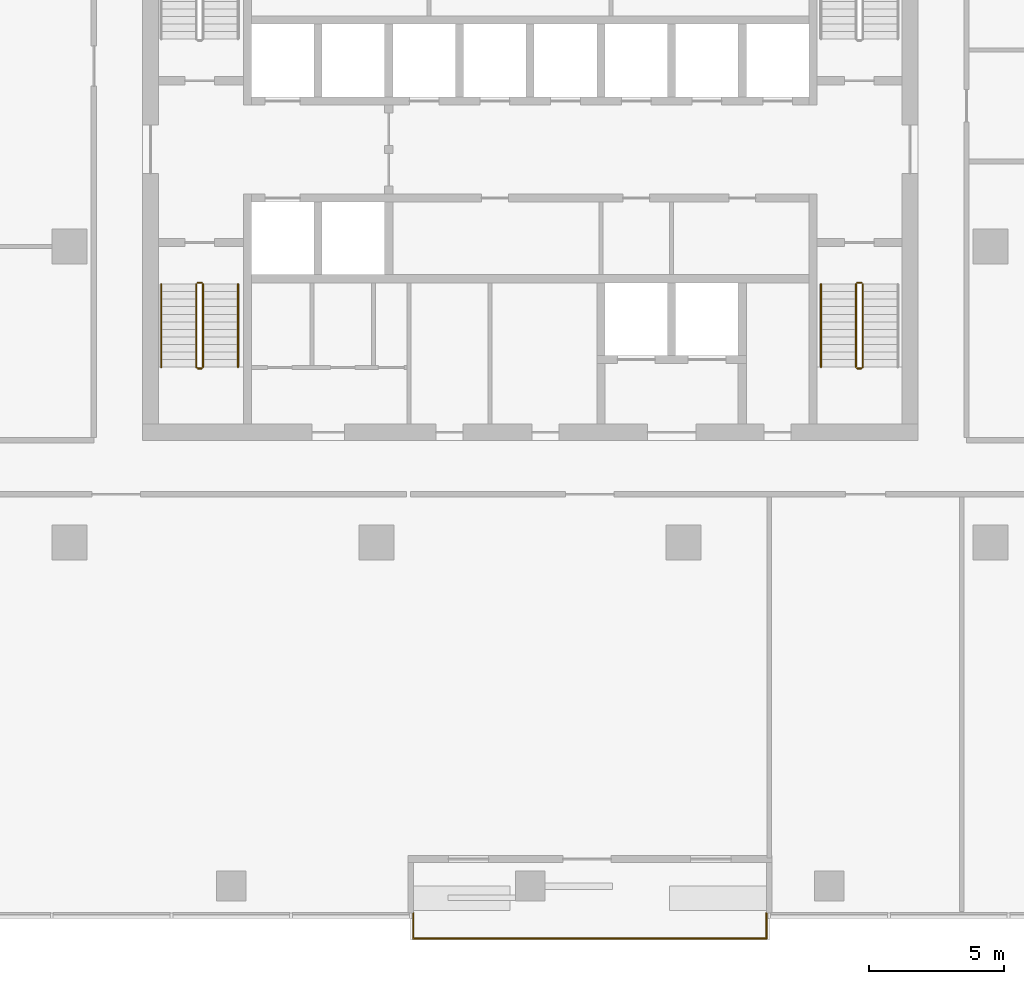
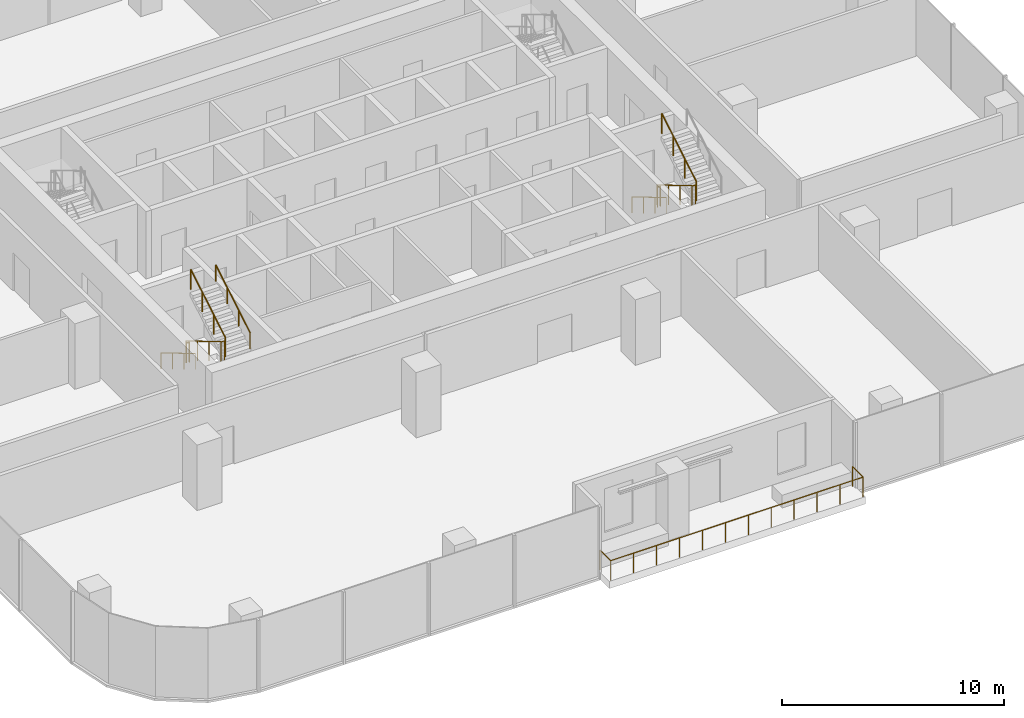
# One storey, part 11 of 14: 10 railings.
"""IFC4 building model written with IfcOpenShell, lengths in metres."""

from ifc_helpers import new_model, si_unit, direction, frame, origin, origin_2d, place, context, subcontext, project, spatial, circle, extrude, material, type_object, element, save


model = new_model("IFC4")

# Units and contexts
model_context = context("Model", 3, precision=1e-05, world=origin(), true_north=direction((0.0, 1.0)))
body_context = subcontext(model_context, "Body", "Model", "MODEL_VIEW")
ifc_project = project(units=[si_unit("LENGTHUNIT", "METRE"), si_unit("AREAUNIT", "SQUARE_METRE"), si_unit("VOLUMEUNIT", "CUBIC_METRE"), si_unit("PLANEANGLEUNIT", "RADIAN"), si_unit("MASSUNIT", "GRAM", prefix="KILO")], contexts=[model_context])

# Site, building, storey
site_placement = place(None, origin())
site = spatial("IfcSite", under=ifc_project, at=site_placement, CompositionType="ELEMENT")
building_placement = place(site_placement, origin())
building = spatial("IfcBuilding", under=site, at=building_placement, Name="Mopane Tessera Tower", CompositionType="ELEMENT")
storey_placement = place(building_placement, frame((0.0, 0.0, 251.0)))
storey = spatial("IfcBuildingStorey", under=building, at=storey_placement, Name="L54", CompositionType="ELEMENT", Elevation=251.0)

# Railings
ifc_material_1 = material(Name="Powder-coated steel balustrade", Category="steel")
railing_type_1 = type_object("IfcRailingType", Name="Escape stair guard 1100 mm", PredefinedType="GUARDRAIL", material=ifc_material_1)
railing_1_placement = place(storey_placement, frame((-12.39990234375, -1.39990234375, 0.166748046875)))
element("IfcRailing", 1, at=railing_1_placement, inside=storey, type_object=railing_type_1, Name="L54 ST1 stair guard 1", PredefinedType="GUARDRAIL", context=body_context, shape_type="SweptSolid", body=[
    extrude(circle(Radius=0.02392578125, at=origin_2d()), frame((0.0, 0.0, 1.076171875), z_axis=(0.0, -0.859308565015, 0.511457515432), x_axis=(1.0, 0.0, 0.0)), (0.0, 0.0, 1.0), 3.58447265625),
    extrude(circle(Radius=0.02392578125, at=origin_2d()), frame((0.0, -3.080078125, 2.9091796875), z_axis=(0.705375805398, -0.708833529934, 0.0), x_axis=(0.708833529934, 0.705375805398, 0.0)), (0.0, 0.0, 1.0), 0.070556640625),
    extrude(circle(Radius=0.02392578125, at=origin_2d()), frame((0.0498046875, -3.130126953125, 2.9091796875), z_axis=(1.0, 0.0, 0.0), x_axis=(0.0, 1.0, 0.0)), (0.0, 0.0, 1.0), 0.150146484375),
    extrude(circle(Radius=0.02099609375, at=origin_2d()), origin(), (0.0, 0.0, 1.0), 1.052001953125),
    extrude(circle(Radius=0.02099609375, at=origin_2d()), frame((0.0, -1.026611328125, 0.611083984375)), (0.0, 0.0, 1.0), 1.052001953125),
    extrude(circle(Radius=0.02099609375, at=origin_2d()), frame((0.0, -2.053466796875, 1.22216796875)), (0.0, 0.0, 1.0), 1.052001953125),
    extrude(circle(Radius=0.02099609375, at=origin_2d()), frame((0.0, -3.080078125, 1.833251953125)), (0.0, 0.0, 1.0), 1.052001953125),
    extrude(circle(Radius=0.02099609375, at=origin_2d()), frame((0.0498046875, -3.130126953125, 1.833251953125)), (0.0, 0.0, 1.0), 1.052001953125),
    extrude(circle(Radius=0.02099609375, at=origin_2d()), frame((0.199951171875, -3.130126953125, 1.833251953125)), (0.0, 0.0, 1.0), 1.052001953125),
])
railing_2_placement = place(storey_placement, frame((-12.14990234375, -4.47998046875, 2.166748046875)))
element("IfcRailing", 2, at=railing_2_placement, inside=storey, type_object=railing_type_1, Name="L54 ST1 stair guard 2", PredefinedType="GUARDRAIL", context=body_context, shape_type="SweptSolid", body=[
    extrude(circle(Radius=0.02392578125, at=origin_2d()), frame((0.0, 0.0, 1.076171875), z_axis=(0.0, 0.859308565015, 0.511457515432), x_axis=(-1.0, 0.0, 0.0)), (0.0, 0.0, 1.0), 3.58447265625),
    extrude(circle(Radius=0.02099609375, at=origin_2d()), origin(), (0.0, 0.0, 1.0), 1.052001953125),
    extrude(circle(Radius=0.02099609375, at=origin_2d()), frame((0.0, 1.026611328125, 0.611083984375)), (0.0, 0.0, 1.0), 1.052001953125),
    extrude(circle(Radius=0.02099609375, at=origin_2d()), frame((0.0, 2.053466796875, 1.22216796875)), (0.0, 0.0, 1.0), 1.052001953125),
    extrude(circle(Radius=0.02099609375, at=origin_2d()), frame((0.0, 3.080078125, 1.833251953125)), (0.0, 0.0, 1.0), 1.052001953125),
])
railing_3_placement = place(storey_placement, frame((-12.35009765625, -1.35009765625, 0.0)))
element("IfcRailing", 3, at=railing_3_placement, inside=storey, type_object=railing_type_1, Name="L54 ST1 stair guard 3", PredefinedType="GUARDRAIL", context=body_context, shape_type="SweptSolid", body=[
    extrude(circle(Radius=0.02392578125, at=origin_2d()), frame((0.0, 0.0, 1.076171875), z_axis=(1.0, 0.0, 0.0), x_axis=(0.0, 1.0, 0.0)), (0.0, 0.0, 1.0), 0.150146484375),
    extrude(circle(Radius=0.02099609375, at=origin_2d()), origin(), (0.0, 0.0, 1.0), 1.052001953125),
    extrude(circle(Radius=0.02099609375, at=origin_2d()), frame((0.150146484375, 0.0, 0.0)), (0.0, 0.0, 1.0), 1.052001953125),
])
railing_4_placement = place(storey_placement, frame((12.10009765625, -1.39990234375, 0.166748046875)))
element("IfcRailing", 4, at=railing_4_placement, inside=storey, type_object=railing_type_1, Name="L54 ST3 stair guard 1", PredefinedType="GUARDRAIL", context=body_context, shape_type="SweptSolid", body=[
    extrude(circle(Radius=0.02392578125, at=origin_2d()), frame((0.0, 0.0, 1.076171875), z_axis=(0.0, -0.859308565015, 0.511457515432), x_axis=(1.0, 0.0, 0.0)), (0.0, 0.0, 1.0), 3.58447265625),
    extrude(circle(Radius=0.02392578125, at=origin_2d()), frame((0.0, -3.080078125, 2.9091796875), z_axis=(0.705375805398, -0.708833529934, 0.0), x_axis=(0.708833529934, 0.705375805398, 0.0)), (0.0, 0.0, 1.0), 0.070556640625),
    extrude(circle(Radius=0.02392578125, at=origin_2d()), frame((0.0498046875, -3.130126953125, 2.9091796875), z_axis=(1.0, 0.0, 0.0), x_axis=(0.0, 1.0, 0.0)), (0.0, 0.0, 1.0), 0.150146484375),
    extrude(circle(Radius=0.02099609375, at=origin_2d()), origin(), (0.0, 0.0, 1.0), 1.052001953125),
    extrude(circle(Radius=0.02099609375, at=origin_2d()), frame((0.0, -1.026611328125, 0.611083984375)), (0.0, 0.0, 1.0), 1.052001953125),
    extrude(circle(Radius=0.02099609375, at=origin_2d()), frame((0.0, -2.053466796875, 1.22216796875)), (0.0, 0.0, 1.0), 1.052001953125),
    extrude(circle(Radius=0.02099609375, at=origin_2d()), frame((0.0, -3.080078125, 1.833251953125)), (0.0, 0.0, 1.0), 1.052001953125),
    extrude(circle(Radius=0.02099609375, at=origin_2d()), frame((0.0498046875, -3.130126953125, 1.833251953125)), (0.0, 0.0, 1.0), 1.052001953125),
    extrude(circle(Radius=0.02099609375, at=origin_2d()), frame((0.199951171875, -3.130126953125, 1.833251953125)), (0.0, 0.0, 1.0), 1.052001953125),
])
railing_5_placement = place(storey_placement, frame((12.35009765625, -4.47998046875, 2.166748046875)))
element("IfcRailing", 5, at=railing_5_placement, inside=storey, type_object=railing_type_1, Name="L54 ST3 stair guard 2", PredefinedType="GUARDRAIL", context=body_context, shape_type="SweptSolid", body=[
    extrude(circle(Radius=0.02392578125, at=origin_2d()), frame((0.0, 0.0, 1.076171875), z_axis=(0.0, 0.859308565015, 0.511457515432), x_axis=(-1.0, 0.0, 0.0)), (0.0, 0.0, 1.0), 3.58447265625),
    extrude(circle(Radius=0.02099609375, at=origin_2d()), origin(), (0.0, 0.0, 1.0), 1.052001953125),
    extrude(circle(Radius=0.02099609375, at=origin_2d()), frame((0.0, 1.026611328125, 0.611083984375)), (0.0, 0.0, 1.0), 1.052001953125),
    extrude(circle(Radius=0.02099609375, at=origin_2d()), frame((0.0, 2.053466796875, 1.22216796875)), (0.0, 0.0, 1.0), 1.052001953125),
    extrude(circle(Radius=0.02099609375, at=origin_2d()), frame((0.0, 3.080078125, 1.833251953125)), (0.0, 0.0, 1.0), 1.052001953125),
])
railing_6_placement = place(storey_placement, frame((12.14990234375, -1.35009765625, 0.0)))
element("IfcRailing", 6, at=railing_6_placement, inside=storey, type_object=railing_type_1, Name="L54 ST3 stair guard 3", PredefinedType="GUARDRAIL", context=body_context, shape_type="SweptSolid", body=[
    extrude(circle(Radius=0.02392578125, at=origin_2d()), frame((0.0, 0.0, 1.076171875), z_axis=(1.0, 0.0, 0.0), x_axis=(0.0, 1.0, 0.0)), (0.0, 0.0, 1.0), 0.150146484375),
    extrude(circle(Radius=0.02099609375, at=origin_2d()), origin(), (0.0, 0.0, 1.0), 1.052001953125),
    extrude(circle(Radius=0.02099609375, at=origin_2d()), frame((0.150146484375, 0.0, 0.0)), (0.0, 0.0, 1.0), 1.052001953125),
])
ifc_material_2 = material(Name="Powder-coated steel balustrade", Category="steel")
railing_type_2 = type_object("IfcRailingType", Name="Escape stair handrail 900 mm", PredefinedType="HANDRAIL", material=ifc_material_2)
railing_7_placement = place(storey_placement, frame((-13.699951171875, -1.39990234375, 0.166748046875)))
element("IfcRailing", 7, at=railing_7_placement, inside=storey, type_object=railing_type_2, Name="L54 ST1 stair handrail 1", PredefinedType="HANDRAIL", context=body_context, shape_type="SweptSolid", body=[
    extrude(circle(Radius=0.02392578125, at=origin_2d()), frame((0.0, 0.0, 0.8759765625), z_axis=(0.0, -0.859308565015, 0.511457515432), x_axis=(1.0, 0.0, 0.0)), (0.0, 0.0, 1.0), 3.58447265625),
    extrude(circle(Radius=0.02099609375, at=origin_2d()), origin(), (0.0, 0.0, 1.0), 0.851806640625),
    extrude(circle(Radius=0.02099609375, at=origin_2d()), frame((0.0, -1.026611328125, 0.611083984375)), (0.0, 0.0, 1.0), 0.851806640625),
    extrude(circle(Radius=0.02099609375, at=origin_2d()), frame((0.0, -2.053466796875, 1.22216796875)), (0.0, 0.0, 1.0), 0.851806640625),
    extrude(circle(Radius=0.02099609375, at=origin_2d()), frame((0.0, -3.080078125, 1.833251953125)), (0.0, 0.0, 1.0), 0.851806640625),
])
railing_8_placement = place(storey_placement, frame((-10.85009765625, -4.47998046875, 2.166748046875)))
element("IfcRailing", 8, at=railing_8_placement, inside=storey, type_object=railing_type_2, Name="L54 ST1 stair handrail 2", PredefinedType="HANDRAIL", context=body_context, shape_type="SweptSolid", body=[
    extrude(circle(Radius=0.02392578125, at=origin_2d()), frame((0.0, 0.0, 0.8759765625), z_axis=(0.0, 0.859308565015, 0.511457515432), x_axis=(-1.0, 0.0, 0.0)), (0.0, 0.0, 1.0), 3.58447265625),
    extrude(circle(Radius=0.02099609375, at=origin_2d()), origin(), (0.0, 0.0, 1.0), 0.851806640625),
    extrude(circle(Radius=0.02099609375, at=origin_2d()), frame((0.0, 1.026611328125, 0.611083984375)), (0.0, 0.0, 1.0), 0.851806640625),
    extrude(circle(Radius=0.02099609375, at=origin_2d()), frame((0.0, 2.053466796875, 1.22216796875)), (0.0, 0.0, 1.0), 0.851806640625),
    extrude(circle(Radius=0.02099609375, at=origin_2d()), frame((0.0, 3.080078125, 1.833251953125)), (0.0, 0.0, 1.0), 0.851806640625),
])
railing_9_placement = place(storey_placement, frame((10.800048828125, -1.39990234375, 0.166748046875)))
element("IfcRailing", 9, at=railing_9_placement, inside=storey, type_object=railing_type_2, Name="L54 ST3 stair handrail 1", PredefinedType="HANDRAIL", context=body_context, shape_type="SweptSolid", body=[
    extrude(circle(Radius=0.02392578125, at=origin_2d()), frame((0.0, 0.0, 0.8759765625), z_axis=(0.0, -0.859308565015, 0.511457515432), x_axis=(1.0, 0.0, 0.0)), (0.0, 0.0, 1.0), 3.58447265625),
    extrude(circle(Radius=0.02099609375, at=origin_2d()), origin(), (0.0, 0.0, 1.0), 0.851806640625),
    extrude(circle(Radius=0.02099609375, at=origin_2d()), frame((0.0, -1.026611328125, 0.611083984375)), (0.0, 0.0, 1.0), 0.851806640625),
    extrude(circle(Radius=0.02099609375, at=origin_2d()), frame((0.0, -2.053466796875, 1.22216796875)), (0.0, 0.0, 1.0), 0.851806640625),
    extrude(circle(Radius=0.02099609375, at=origin_2d()), frame((0.0, -3.080078125, 1.833251953125)), (0.0, 0.0, 1.0), 0.851806640625),
])
ifc_material_3 = material(Name="Stainless steel S316", Category="steel")
railing_type_3 = type_object("IfcRailingType", Name="Terrace guard 1100", PredefinedType="GUARDRAIL", material=ifc_material_3)
railing_10_placement = place(storey_placement, frame((-4.340087890625, -24.75, 0.0)))
element("IfcRailing", 10, at=railing_10_placement, inside=storey, type_object=railing_type_3, Name="e:nw:L54:N1:guard", PredefinedType="GUARDRAIL", context=body_context, shape_type="SweptSolid", body=[
    extrude(circle(Radius=0.02392578125, at=origin_2d()), frame((0.0, 0.0, 1.076171875), z_axis=(0.0, -1.0, 0.0), x_axis=(1.0, 0.0, 0.0)), (0.0, 0.0, 1.0), 0.949951171875),
    extrude(circle(Radius=0.02392578125, at=origin_2d()), frame((0.0, -0.949951171875, 1.076171875), z_axis=(1.0, 0.0, 0.0), x_axis=(0.0, 1.0, 0.0)), (0.0, 0.0, 1.0), 13.1201171875),
    extrude(circle(Radius=0.02392578125, at=origin_2d()), frame((13.1201171875, -0.949951171875, 1.076171875), z_axis=(0.0, 1.0, 0.0), x_axis=(-1.0, 0.0, 0.0)), (0.0, 0.0, 1.0), 0.949951171875),
    extrude(circle(Radius=0.02099609375, at=origin_2d()), origin(), (0.0, 0.0, 1.0), 1.052001953125),
    extrude(circle(Radius=0.02099609375, at=origin_2d()), frame((0.0, -0.949951171875, 0.0)), (0.0, 0.0, 1.0), 1.052001953125),
    extrude(circle(Radius=0.02099609375, at=origin_2d()), frame((1.192626953125, -0.949951171875, 0.0)), (0.0, 0.0, 1.0), 1.052001953125),
    extrude(circle(Radius=0.02099609375, at=origin_2d()), frame((2.385498046875, -0.949951171875, 0.0)), (0.0, 0.0, 1.0), 1.052001953125),
    extrude(circle(Radius=0.02099609375, at=origin_2d()), frame((3.578125, -0.949951171875, 0.0)), (0.0, 0.0, 1.0), 1.052001953125),
    extrude(circle(Radius=0.02099609375, at=origin_2d()), frame((4.77099609375, -0.949951171875, 0.0)), (0.0, 0.0, 1.0), 1.052001953125),
    extrude(circle(Radius=0.02099609375, at=origin_2d()), frame((5.963623046875, -0.949951171875, 0.0)), (0.0, 0.0, 1.0), 1.052001953125),
    extrude(circle(Radius=0.02099609375, at=origin_2d()), frame((7.156494140625, -0.949951171875, 0.0)), (0.0, 0.0, 1.0), 1.052001953125),
    extrude(circle(Radius=0.02099609375, at=origin_2d()), frame((8.34912109375, -0.949951171875, 0.0)), (0.0, 0.0, 1.0), 1.052001953125),
    extrude(circle(Radius=0.02099609375, at=origin_2d()), frame((9.5419921875, -0.949951171875, 0.0)), (0.0, 0.0, 1.0), 1.052001953125),
    extrude(circle(Radius=0.02099609375, at=origin_2d()), frame((10.734619140625, -0.949951171875, 0.0)), (0.0, 0.0, 1.0), 1.052001953125),
    extrude(circle(Radius=0.02099609375, at=origin_2d()), frame((11.927490234375, -0.949951171875, 0.0)), (0.0, 0.0, 1.0), 1.052001953125),
    extrude(circle(Radius=0.02099609375, at=origin_2d()), frame((13.1201171875, -0.949951171875, 0.0)), (0.0, 0.0, 1.0), 1.052001953125),
    extrude(circle(Radius=0.02099609375, at=origin_2d()), frame((13.1201171875, 0.0, 0.0)), (0.0, 0.0, 1.0), 1.052001953125),
])

save(model, "model.ifc")
